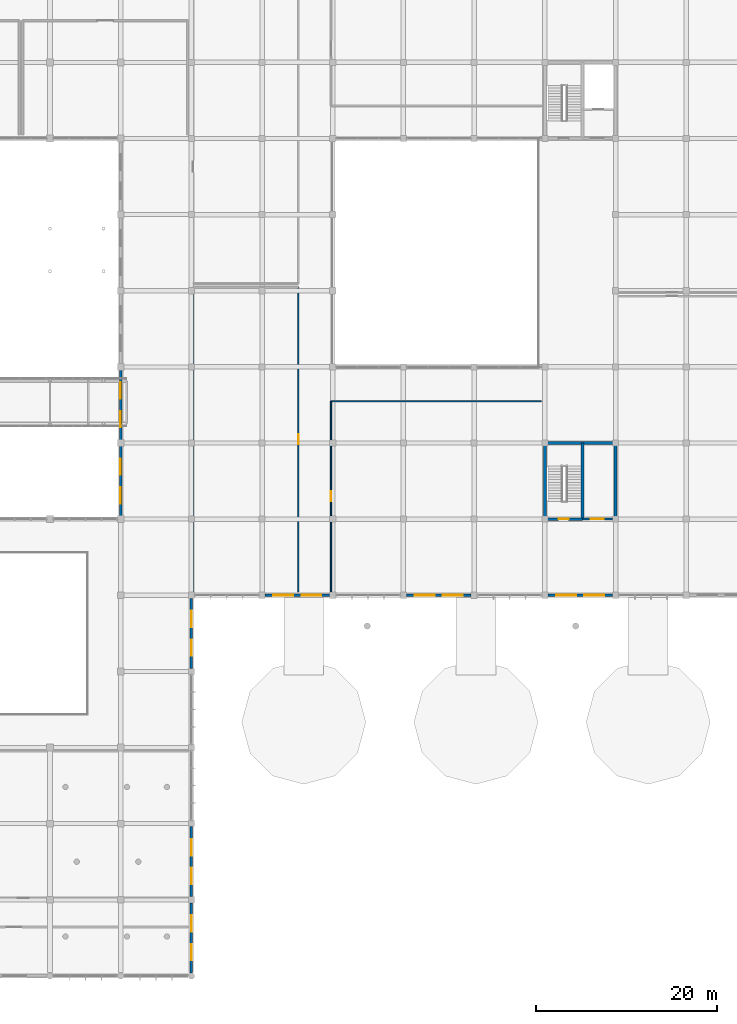
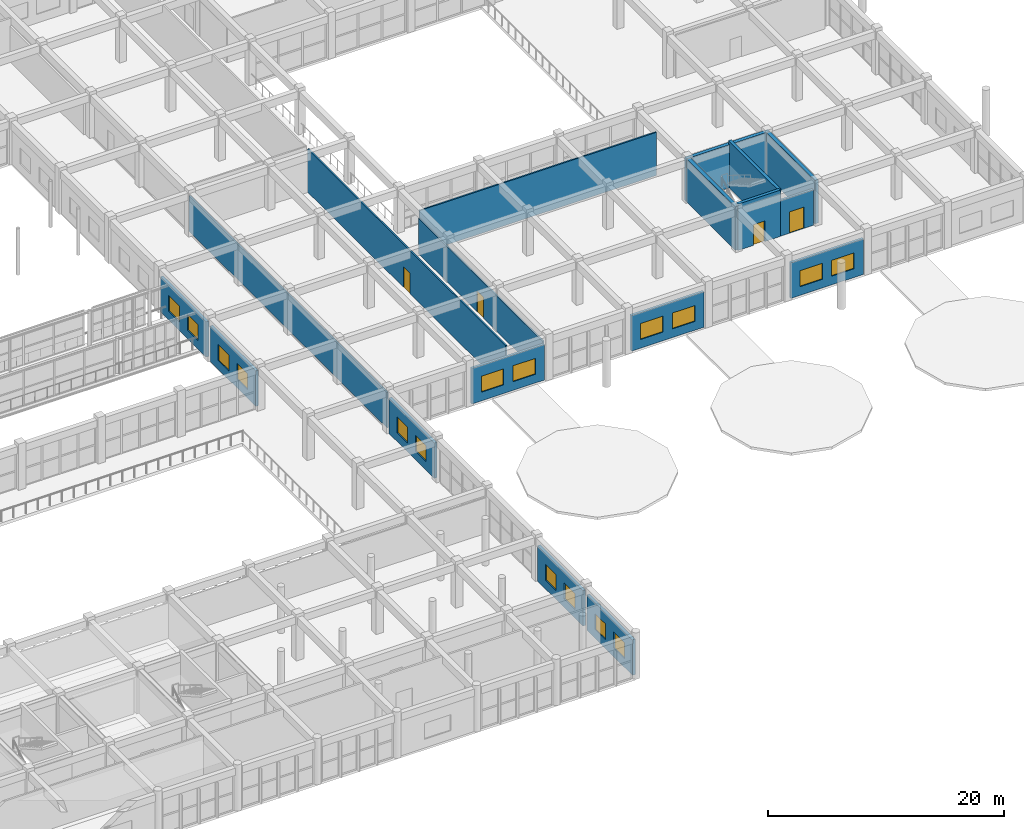
# One storey, part 164 of 175: 18 walls, 16 windows, 4 doors, 20 openings.
"""IFC4 building model written with IfcOpenShell, lengths in metres."""

import ifcopenshell
import ifcopenshell.guid

model = None  # the IFC model being written
_history = None  # IfcOwnerHistory: only IFC2X3 demands one
_inside = {}  # id of a spatial element -> (the spatial element, [elements in it])
_under = {}  # id of a project, library or spatial element -> (it, [spatial elements below it])
_declared = {}  # id of a project -> (the project, [libraries it declares])
_typed = {}  # id of a type object -> (the type object, [elements of that type])
_made_of = {}  # id of a material, layer set ... -> (it, [elements and type objects made of it])


def new_model(schema):
    """Start an empty IFC model of exactly this schema.

    Asked for "IFC4X3", IfcOpenShell would pick the latest addendum, in which some entities
    have other attributes; the version numbers below select the first issue.
    IFC2X3 requires an IfcOwnerHistory on every rooted entity: one is made here for all.
    """
    global model, _history
    if schema == "IFC4X3":
        model = ifcopenshell.file(schema_version=(4, 3, 0, 0))
    else:
        model = ifcopenshell.file(schema=schema)
    _inside.clear()
    _under.clear()
    _declared.clear()
    _typed.clear()
    _made_of.clear()
    _history = None
    if model.schema == "IFC2X3":
        org = make("IfcOrganization", Name="unknown")
        user = make(
            "IfcPersonAndOrganization",
            ThePerson=make("IfcPerson", FamilyName="unknown"),
            TheOrganization=org,
        )
        app = make(
            "IfcApplication",
            ApplicationDeveloper=org,
            Version="unknown",
            ApplicationFullName="unknown",
            ApplicationIdentifier="unknown",
        )
        _history = make(
            "IfcOwnerHistory",
            OwningUser=user,
            OwningApplication=app,
            ChangeAction="ADDED",
            CreationDate=0,
        )
    return model


def make(cls, **values):
    """One entity of the class cls with the attributes given. An attribute that is None is left unset."""
    return model.create_entity(
        cls, **{name: value for name, value in values.items() if value is not None}
    )


def rooted(cls, **values):
    """An entity with a GlobalId (a new one), such as an element, a storey or a relation."""
    return make(cls, GlobalId=ifcopenshell.guid.new(), OwnerHistory=_history, **values)


def si_unit(unit_type, name, prefix=None):
    """IfcSIUnit, for example si_unit("LENGTHUNIT", "METRE", prefix="MILLI")."""
    return make("IfcSIUnit", UnitType=unit_type, Prefix=prefix, Name=name)


def assignment(units):
    """IfcUnitAssignment: the units of a project."""
    return None if units is None else make("IfcUnitAssignment", Units=units)


def point(xyz):
    """IfcCartesianPoint."""
    return None if xyz is None else make("IfcCartesianPoint", Coordinates=xyz)


def direction(xyz):
    """IfcDirection."""
    return None if xyz is None else make("IfcDirection", DirectionRatios=xyz)


def frame(location, z_axis=None, x_axis=None):
    """IfcAxis2Placement3D, a coordinate frame: its origin and axes. An axis left out is left unset."""
    return make(
        "IfcAxis2Placement3D",
        Location=point(location),
        Axis=direction(z_axis),
        RefDirection=direction(x_axis),
    )


def frame_2d(location, x_axis=None):
    """IfcAxis2Placement2D, a coordinate frame in the plane: its origin and x axis."""
    return make(
        "IfcAxis2Placement2D", Location=point(location), RefDirection=direction(x_axis)
    )


def origin():
    """The frame at (0, 0, 0) with its axes left unset."""
    return frame((0.0, 0.0, 0.0))


def place(relative_to, where):
    """IfcLocalPlacement: puts the frame where relative to a parent placement (None: the world)."""
    return make(
        "IfcLocalPlacement", PlacementRelTo=relative_to, RelativePlacement=where
    )


def context(
    kind, dimensions, precision=None, world=None, true_north=None, identifier=None
):
    """IfcGeometricRepresentationContext, for example the 3D "Model" context."""
    return make(
        "IfcGeometricRepresentationContext",
        ContextIdentifier=identifier,
        ContextType=kind,
        CoordinateSpaceDimension=dimensions,
        Precision=precision,
        WorldCoordinateSystem=world,
        TrueNorth=true_north,
    )


def subcontext(parent, identifier, kind, view, scale=None):
    """IfcGeometricRepresentationSubContext, for example "Body" below "Model"."""
    return make(
        "IfcGeometricRepresentationSubContext",
        ContextIdentifier=identifier,
        ContextType=kind,
        ParentContext=parent,
        TargetScale=scale,
        TargetView=view,
    )


def project(units=None, contexts=None):
    """IfcProject with its units and contexts."""
    return rooted(
        "IfcProject",
        Name="project",
        RepresentationContexts=contexts,
        UnitsInContext=assignment(units),
    )


def spatial(cls, under=None, at=None, **own):
    """A site, building, storey or space (cls), placed at a placement, below another one or the project."""
    s = rooted(cls, ObjectPlacement=at, **own)
    if under is not None:
        _under.setdefault(under.id(), (under, []))[1].append(s)
    return s


def profile(cls, at=None, kind="AREA", **sizes):
    """A parametric profile (cls). Its sizes go by their IFC names, for example OverallWidth=200.0."""
    return make(cls, ProfileType=kind, Position=at, **sizes)


def rectangle(**sizes):
    """IfcRectangleProfileDef."""
    return profile("IfcRectangleProfileDef", **sizes)


def extrude(swept, where, along, depth):
    """IfcExtrudedAreaSolid: the profile swept, set in the frame where, extruded along a direction by depth."""
    return make(
        "IfcExtrudedAreaSolid",
        SweptArea=swept,
        Position=where,
        ExtrudedDirection=direction(along),
        Depth=depth,
    )


def shape(context_of_items, identifier, shape_type, items):
    """IfcShapeRepresentation: the items that make up one representation, for example the "Body"."""
    return make(
        "IfcShapeRepresentation",
        ContextOfItems=context_of_items,
        RepresentationIdentifier=identifier,
        RepresentationType=shape_type,
        Items=items,
    )


def material(Name=None, Category=None):
    """IfcMaterial."""
    return make("IfcMaterial", Name=Name, Category=Category)


def layer(
    of_material, thickness, ventilated=None, Name=None, Category=None, Priority=None
):
    """IfcMaterialLayer: one layer of a wall or slab, of a material (None: an air gap)."""
    return make(
        "IfcMaterialLayer",
        Material=of_material,
        LayerThickness=thickness,
        IsVentilated=ventilated,
        Name=Name,
        Category=Category,
        Priority=Priority,
    )


def layer_set(layers, Name=None):
    """IfcMaterialLayerSet."""
    return make("IfcMaterialLayerSet", MaterialLayers=layers, LayerSetName=Name)


def made_of(thing, what):
    """Note that an element or type object is made of a material, layer set ...; save() writes the relation."""
    if what is not None:
        _made_of.setdefault(what.id(), (what, []))[1].append(thing)
    return thing


def type_object(cls, material=None, **own):
    """A type object (cls), such as IfcWallType, which elements share."""
    return made_of(rooted(cls, **own), material)


def element(
    cls,
    number,
    at=None,
    inside=None,
    cuts=None,
    type_object=None,
    material=None,
    context=None,
    identifier="Body",
    shape_type=None,
    held_by="IfcProductDefinitionShape",
    body=None,
    shapes=None,
    **own,
):
    """One element of the class cls, such as IfcWall. Its Tag is "e" and its number.

    at: its placement. inside: the storey or other place that contains it. cuts: it is an
    opening in that element (IfcRelVoidsElement). A single representation is given by context,
    identifier, shape_type and body (its items); several are given by shapes. held_by: the class
    of the entity that holds the representations. save() writes the other relations.
    """
    e = rooted(cls, Tag="e%d" % number, ObjectPlacement=at, **own)
    if body is not None:
        shapes = [shape(context, identifier, shape_type, body)]
    if shapes is not None:
        e.Representation = make(held_by, Representations=shapes)
    if inside is not None:
        _inside.setdefault(inside.id(), (inside, []))[1].append(e)
    if cuts is not None:
        rooted(
            "IfcRelVoidsElement", RelatingBuildingElement=cuts, RelatedOpeningElement=e
        )
    if type_object is not None:
        _typed.setdefault(type_object.id(), (type_object, []))[1].append(e)
    return made_of(e, material)


def fill(opening, filler):
    """IfcRelFillsElement: the door or window that sits in an opening."""
    return rooted(
        "IfcRelFillsElement",
        RelatingOpeningElement=opening,
        RelatedBuildingElement=filler,
    )


def aggregate(whole, parts):
    """IfcRelAggregates: a whole, such as a stair, and the parts it consists of."""
    return rooted("IfcRelAggregates", RelatingObject=whole, RelatedObjects=parts)


def save(model, path):
    """Write the relations noted so far, then the file.

    IfcRelAggregates (storeys below a building ...), IfcRelContainedInSpatialStructure (elements
    in a storey), IfcRelDefinesByType, IfcRelAssociatesMaterial and IfcRelDeclares: one each for
    every whole, place, type object, material and project.
    """
    for whole, parts in _under.values():
        aggregate(whole, parts)
    for where, things in _inside.values():
        rooted(
            "IfcRelContainedInSpatialStructure",
            RelatedElements=things,
            RelatingStructure=where,
        )
    for kind, things in _typed.values():
        rooted("IfcRelDefinesByType", RelatedObjects=things, RelatingType=kind)
    for what, things in _made_of.values():
        rooted("IfcRelAssociatesMaterial", RelatedObjects=things, RelatingMaterial=what)
    for by, libraries in _declared.values():
        rooted("IfcRelDeclares", RelatingContext=by, RelatedDefinitions=libraries)
    model.write(path)


model = new_model("IFC4")

# Units and contexts
model_context = context("Model", 3, precision=1e-05, world=origin(), true_north=direction((0.0, 1.0)))
body_context = subcontext(model_context, "Body", "Model", "MODEL_VIEW")
ifc_project = project(units=[si_unit("LENGTHUNIT", "METRE"), si_unit("AREAUNIT", "SQUARE_METRE"), si_unit("VOLUMEUNIT", "CUBIC_METRE"), si_unit("PLANEANGLEUNIT", "RADIAN"), si_unit("MASSUNIT", "GRAM", prefix="KILO")], contexts=[model_context])

# Site, building, storey
site_placement = place(None, origin())
site = spatial("IfcSite", under=ifc_project, at=site_placement, CompositionType="ELEMENT")
building_placement = place(site_placement, origin())
building = spatial("IfcBuilding", under=site, at=building_placement, Name="Zizhar Promenade General Hospital", CompositionType="ELEMENT")
storey_placement = place(building_placement, frame((0.0, 0.0, 4.800048828125)))
storey = spatial("IfcBuildingStorey", under=building, at=storey_placement, Name="L01", CompositionType="ELEMENT", Elevation=4.800048828125)

# Wall, openings, windows
ifc_material_1 = material(Name="Precast concrete C40/50", Category="concrete")
ifc_layer_1 = layer(ifc_material_1, 0.235107421875)
ifc_layer_set_1 = layer_set([ifc_layer_1], Name="Precast concrete C40/50")
wall_type_1 = type_object("IfcWallType", Name="EW-CLN-235", PredefinedType="STANDARD", material=ifc_layer_set_1)
wall_1_placement = place(storey_placement, frame((147.860107421875, 42.0, 0.0), z_axis=(0.0, 0.0, 1.0), x_axis=(-1.0, 0.0, 0.0)))
wall_1 = element("IfcWall", 1, at=wall_1_placement, inside=storey, type_object=wall_type_1, Name="Outpatient Forecourt South Wall L01-18", PredefinedType="STANDARD", context=body_context, shape_type="SweptSolid", body=[
    extrude(rectangle(XDim=7.1201171875, YDim=0.235107421875, at=frame_2d((3.56005859375, 0.0))), origin(), (0.0, 0.0, 1.0), 3.679931640625),
])
opening_1_placement = place(wall_1_placement, frame((0.90673828125, 0.0, 0.89990234375)))
opening_1 = element("IfcOpeningElement", 2, at=opening_1_placement, cuts=wall_1, Name="Opening W-07", PredefinedType="OPENING", context=body_context, shape_type="SweptSolid", body=[
    extrude(rectangle(XDim=2.199951171875, YDim=1.64990234375, at=frame_2d((1.10009765625, 0.824951171875))), frame((0.0, 0.12744140625, 0.0), z_axis=(0.0, -1.0, 0.0), x_axis=(1.0, 0.0, 0.0)), (0.0, 0.0, 1.0), 0.255126953125),
])
opening_2_placement = place(wall_1_placement, frame((4.01318359375, 0.0, 0.89990234375)))
opening_2 = element("IfcOpeningElement", 3, at=opening_2_placement, cuts=wall_1, Name="Opening W-07", PredefinedType="OPENING", context=body_context, shape_type="SweptSolid", body=[
    extrude(rectangle(XDim=2.199951171875, YDim=1.64990234375, at=frame_2d((1.10009765625, 0.824951171875))), frame((0.0, 0.12744140625, 0.0), z_axis=(0.0, -1.0, 0.0), x_axis=(1.0, 0.0, 0.0)), (0.0, 0.0, 1.0), 0.255126953125),
])
ifc_material_2 = material(Name="Anodised aluminium 6063-T6 and low-E glass", Category="aluminium")
window_type_1 = type_object("IfcWindowType", Name="WIN-CLN-220x165", PartitioningType="DOUBLE_PANEL_VERTICAL", PredefinedType="WINDOW", material=ifc_material_2)
window_1_placement = place(opening_1_placement, origin())
window_1 = element("IfcWindow", 4, at=window_1_placement, inside=storey, type_object=window_type_1, Name="Outpatient Forecourt South Wall L01-18 Window 1", OverallHeight=1.64990234375, OverallWidth=2.199951171875, PartitioningType="SINGLE_PANEL", PredefinedType="WINDOW", context=body_context, shape_type="SweptSolid", body=[
    extrude(rectangle(XDim=2.199951171875, YDim=1.64990234375, at=frame_2d((1.10009765625, 0.824951171875))), frame((0.0, 0.030029296875, 0.0), z_axis=(0.0, -1.0, 0.0), x_axis=(1.0, 0.0, 0.0)), (0.0, 0.0, 1.0), 0.06005859375),
])
fill(opening_1, window_1)
window_2_placement = place(opening_2_placement, origin())
window_2 = element("IfcWindow", 5, at=window_2_placement, inside=storey, type_object=window_type_1, Name="Outpatient Forecourt South Wall L01-18 Window 2", OverallHeight=1.64990234375, OverallWidth=2.199951171875, PartitioningType="SINGLE_PANEL", PredefinedType="WINDOW", context=body_context, shape_type="SweptSolid", body=[
    extrude(rectangle(XDim=2.199951171875, YDim=1.64990234375, at=frame_2d((1.10009765625, 0.824951171875))), frame((0.0, 0.030029296875, 0.0), z_axis=(0.0, -1.0, 0.0), x_axis=(1.0, 0.0, 0.0)), (0.0, 0.0, 1.0), 0.06005859375),
])
fill(opening_2, window_2)

wall_2_placement = place(storey_placement, frame((163.4599609375, 42.0, 0.0), z_axis=(0.0, 0.0, 1.0), x_axis=(-1.0, 0.0, 0.0)))
wall_2 = element("IfcWall", 6, at=wall_2_placement, inside=storey, type_object=wall_type_1, Name="Outpatient Forecourt South Wall L01-20", PredefinedType="STANDARD", context=body_context, shape_type="SweptSolid", body=[
    extrude(rectangle(XDim=7.119873046875, YDim=0.235107421875, at=frame_2d((3.56005859375, 0.0))), origin(), (0.0, 0.0, 1.0), 3.679931640625),
])
opening_3_placement = place(wall_2_placement, frame((0.90673828125, 0.0, 0.89990234375)))
opening_3 = element("IfcOpeningElement", 7, at=opening_3_placement, cuts=wall_2, Name="Opening W-07", PredefinedType="OPENING", context=body_context, shape_type="SweptSolid", body=[
    extrude(rectangle(XDim=2.199951171875, YDim=1.64990234375, at=frame_2d((1.10009765625, 0.824951171875))), frame((0.0, 0.12744140625, 0.0), z_axis=(0.0, -1.0, 0.0), x_axis=(1.0, 0.0, 0.0)), (0.0, 0.0, 1.0), 0.255126953125),
])
opening_4_placement = place(wall_2_placement, frame((4.01318359375, 0.0, 0.89990234375)))
opening_4 = element("IfcOpeningElement", 8, at=opening_4_placement, cuts=wall_2, Name="Opening W-07", PredefinedType="OPENING", context=body_context, shape_type="SweptSolid", body=[
    extrude(rectangle(XDim=2.199951171875, YDim=1.64990234375, at=frame_2d((1.10009765625, 0.824951171875))), frame((0.0, 0.12744140625, 0.0), z_axis=(0.0, -1.0, 0.0), x_axis=(1.0, 0.0, 0.0)), (0.0, 0.0, 1.0), 0.255126953125),
])
window_3_placement = place(opening_3_placement, origin())
window_3 = element("IfcWindow", 9, at=window_3_placement, inside=storey, type_object=window_type_1, Name="Outpatient Forecourt South Wall L01-20 Window 1", OverallHeight=1.64990234375, OverallWidth=2.199951171875, PartitioningType="SINGLE_PANEL", PredefinedType="WINDOW", context=body_context, shape_type="SweptSolid", body=[
    extrude(rectangle(XDim=2.199951171875, YDim=1.64990234375, at=frame_2d((1.10009765625, 0.824951171875))), frame((0.0, 0.030029296875, 0.0), z_axis=(0.0, -1.0, 0.0), x_axis=(1.0, 0.0, 0.0)), (0.0, 0.0, 1.0), 0.06005859375),
])
fill(opening_3, window_3)
window_4_placement = place(opening_4_placement, origin())
window_4 = element("IfcWindow", 10, at=window_4_placement, inside=storey, type_object=window_type_1, Name="Outpatient Forecourt South Wall L01-20 Window 2", OverallHeight=1.64990234375, OverallWidth=2.199951171875, PartitioningType="SINGLE_PANEL", PredefinedType="WINDOW", context=body_context, shape_type="SweptSolid", body=[
    extrude(rectangle(XDim=2.199951171875, YDim=1.64990234375, at=frame_2d((1.10009765625, 0.824951171875))), frame((0.0, 0.030029296875, 0.0), z_axis=(0.0, -1.0, 0.0), x_axis=(1.0, 0.0, 0.0)), (0.0, 0.0, 1.0), 0.06005859375),
])
fill(opening_4, window_4)

wall_3_placement = place(storey_placement, frame((179.06005859375, 42.0, 0.0), z_axis=(0.0, 0.0, 1.0), x_axis=(-1.0, 0.0, 0.0)))
wall_3 = element("IfcWall", 11, at=wall_3_placement, inside=storey, type_object=wall_type_1, Name="Outpatient Forecourt South Wall L01-22", PredefinedType="STANDARD", context=body_context, shape_type="SweptSolid", body=[
    extrude(rectangle(XDim=7.1201171875, YDim=0.235107421875, at=frame_2d((3.56005859375, 0.0))), origin(), (0.0, 0.0, 1.0), 3.679931640625),
])
opening_5_placement = place(wall_3_placement, frame((0.90673828125, 0.0, 0.89990234375)))
opening_5 = element("IfcOpeningElement", 12, at=opening_5_placement, cuts=wall_3, Name="Opening W-07", PredefinedType="OPENING", context=body_context, shape_type="SweptSolid", body=[
    extrude(rectangle(XDim=2.199951171875, YDim=1.64990234375, at=frame_2d((1.10009765625, 0.824951171875))), frame((0.0, 0.12744140625, 0.0), z_axis=(0.0, -1.0, 0.0), x_axis=(1.0, 0.0, 0.0)), (0.0, 0.0, 1.0), 0.255126953125),
])
opening_6_placement = place(wall_3_placement, frame((4.01318359375, 0.0, 0.89990234375)))
opening_6 = element("IfcOpeningElement", 13, at=opening_6_placement, cuts=wall_3, Name="Opening W-07", PredefinedType="OPENING", context=body_context, shape_type="SweptSolid", body=[
    extrude(rectangle(XDim=2.199951171875, YDim=1.64990234375, at=frame_2d((1.10009765625, 0.824951171875))), frame((0.0, 0.12744140625, 0.0), z_axis=(0.0, -1.0, 0.0), x_axis=(1.0, 0.0, 0.0)), (0.0, 0.0, 1.0), 0.255126953125),
])
window_5_placement = place(opening_5_placement, origin())
window_5 = element("IfcWindow", 14, at=window_5_placement, inside=storey, type_object=window_type_1, Name="Outpatient Forecourt South Wall L01-22 Window 1", OverallHeight=1.64990234375, OverallWidth=2.199951171875, PartitioningType="SINGLE_PANEL", PredefinedType="WINDOW", context=body_context, shape_type="SweptSolid", body=[
    extrude(rectangle(XDim=2.199951171875, YDim=1.64990234375, at=frame_2d((1.10009765625, 0.824951171875))), frame((0.0, 0.030029296875, 0.0), z_axis=(0.0, -1.0, 0.0), x_axis=(1.0, 0.0, 0.0)), (0.0, 0.0, 1.0), 0.06005859375),
])
fill(opening_5, window_5)
window_6_placement = place(opening_6_placement, origin())
window_6 = element("IfcWindow", 15, at=window_6_placement, inside=storey, type_object=window_type_1, Name="Outpatient Forecourt South Wall L01-22 Window 2", OverallHeight=1.64990234375, OverallWidth=2.199951171875, PartitioningType="SINGLE_PANEL", PredefinedType="WINDOW", context=body_context, shape_type="SweptSolid", body=[
    extrude(rectangle(XDim=2.199951171875, YDim=1.64990234375, at=frame_2d((1.10009765625, 0.824951171875))), frame((0.0, 0.030029296875, 0.0), z_axis=(0.0, -1.0, 0.0), x_axis=(1.0, 0.0, 0.0)), (0.0, 0.0, 1.0), 0.06005859375),
])
fill(opening_6, window_6)

ifc_material_3 = material(Name="Precast concrete C40/50", Category="concrete")
ifc_layer_2 = layer(ifc_material_3, 0.260009765625)
ifc_layer_set_2 = layer_set([ifc_layer_2], Name="Precast concrete C40/50")
wall_type_2 = type_object("IfcWallType", Name="EW-PC-260", PredefinedType="STANDARD", material=ifc_layer_set_2)
wall_4_placement = place(storey_placement, frame((124.800048828125, 58.4599609375, 0.0), z_axis=(0.0, 0.0, 1.0), x_axis=(0.0, -1.0, 0.0)))
wall_4 = element("IfcWall", 16, at=wall_4_placement, inside=storey, type_object=wall_type_2, Name="Garden Court East Wall L01-6", PredefinedType="STANDARD", context=body_context, shape_type="SweptSolid", body=[
    extrude(rectangle(XDim=7.719970703125, YDim=0.260009765625, at=frame_2d((3.85986328125, 0.0))), origin(), (0.0, 0.0, 1.0), 3.6650390625),
])
opening_7_placement = place(wall_4_placement, frame((1.373291015625, 0.0, 0.89990234375)))
opening_7 = element("IfcOpeningElement", 17, at=opening_7_placement, cuts=wall_4, Name="Opening W-08", PredefinedType="OPENING", context=body_context, shape_type="SweptSolid", body=[
    extrude(rectangle(XDim=1.800048828125, YDim=1.64990234375, at=frame_2d((0.89990234375, 0.824951171875))), frame((0.0, 0.14013671875, 0.0), z_axis=(0.0, -1.0, 0.0), x_axis=(1.0, 0.0, 0.0)), (0.0, 0.0, 1.0), 0.280029296875),
])
opening_8_placement = place(wall_4_placement, frame((4.546630859375, 0.0, 0.89990234375)))
opening_8 = element("IfcOpeningElement", 18, at=opening_8_placement, cuts=wall_4, Name="Opening W-08", PredefinedType="OPENING", context=body_context, shape_type="SweptSolid", body=[
    extrude(rectangle(XDim=1.800048828125, YDim=1.64990234375, at=frame_2d((0.89990234375, 0.824951171875))), frame((0.0, 0.14013671875, 0.0), z_axis=(0.0, -1.0, 0.0), x_axis=(1.0, 0.0, 0.0)), (0.0, 0.0, 1.0), 0.280029296875),
])
ifc_material_4 = material(Name="Anodised aluminium 6063-T6 and low-E glass", Category="aluminium")
window_type_2 = type_object("IfcWindowType", Name="WIN-CLN-180x165", PartitioningType="DOUBLE_PANEL_VERTICAL", PredefinedType="WINDOW", material=ifc_material_4)
window_7_placement = place(opening_7_placement, origin())
window_7 = element("IfcWindow", 19, at=window_7_placement, inside=storey, type_object=window_type_2, Name="Garden Court East Wall L01-6 Window 1", OverallHeight=1.64990234375, OverallWidth=1.800048828125, PartitioningType="SINGLE_PANEL", PredefinedType="WINDOW", context=body_context, shape_type="SweptSolid", body=[
    extrude(rectangle(XDim=1.800048828125, YDim=1.64990234375, at=frame_2d((0.89990234375, 0.824951171875))), frame((0.0, 0.030029296875, 0.0), z_axis=(0.0, -1.0, 0.0), x_axis=(1.0, 0.0, 0.0)), (0.0, 0.0, 1.0), 0.06005859375),
])
fill(opening_7, window_7)
window_8_placement = place(opening_8_placement, origin())
window_8 = element("IfcWindow", 20, at=window_8_placement, inside=storey, type_object=window_type_2, Name="Garden Court East Wall L01-6 Window 2", OverallHeight=1.64990234375, OverallWidth=1.800048828125, PartitioningType="SINGLE_PANEL", PredefinedType="WINDOW", context=body_context, shape_type="SweptSolid", body=[
    extrude(rectangle(XDim=1.800048828125, YDim=1.64990234375, at=frame_2d((0.89990234375, 0.824951171875))), frame((0.0, 0.030029296875, 0.0), z_axis=(0.0, -1.0, 0.0), x_axis=(1.0, 0.0, 0.0)), (0.0, 0.0, 1.0), 0.06005859375),
])
fill(opening_8, window_8)

wall_5_placement = place(storey_placement, frame((124.800048828125, 66.860107421875, 0.0), z_axis=(0.0, 0.0, 1.0), x_axis=(0.0, -1.0, 0.0)))
wall_5 = element("IfcWall", 21, at=wall_5_placement, inside=storey, type_object=wall_type_2, Name="Garden Court East Wall L01-7", PredefinedType="STANDARD", context=body_context, shape_type="SweptSolid", body=[
    extrude(rectangle(XDim=7.72021484375, YDim=0.260009765625, at=frame_2d((3.860107421875, 0.0))), origin(), (0.0, 0.0, 1.0), 3.6650390625),
])
opening_9_placement = place(wall_5_placement, frame((1.373291015625, 0.0, 0.89990234375)))
opening_9 = element("IfcOpeningElement", 22, at=opening_9_placement, cuts=wall_5, Name="Opening W-08", PredefinedType="OPENING", context=body_context, shape_type="SweptSolid", body=[
    extrude(rectangle(XDim=1.800048828125, YDim=1.64990234375, at=frame_2d((0.89990234375, 0.824951171875))), frame((0.0, 0.14013671875, 0.0), z_axis=(0.0, -1.0, 0.0), x_axis=(1.0, 0.0, 0.0)), (0.0, 0.0, 1.0), 0.280029296875),
])
opening_10_placement = place(wall_5_placement, frame((4.546630859375, 0.0, 0.89990234375)))
opening_10 = element("IfcOpeningElement", 23, at=opening_10_placement, cuts=wall_5, Name="Opening W-08", PredefinedType="OPENING", context=body_context, shape_type="SweptSolid", body=[
    extrude(rectangle(XDim=1.800048828125, YDim=1.64990234375, at=frame_2d((0.89990234375, 0.824951171875))), frame((0.0, 0.14013671875, 0.0), z_axis=(0.0, -1.0, 0.0), x_axis=(1.0, 0.0, 0.0)), (0.0, 0.0, 1.0), 0.280029296875),
])
window_9_placement = place(opening_9_placement, origin())
window_9 = element("IfcWindow", 24, at=window_9_placement, inside=storey, type_object=window_type_2, Name="Garden Court East Wall L01-7 Window 1", OverallHeight=1.64990234375, OverallWidth=1.800048828125, PartitioningType="SINGLE_PANEL", PredefinedType="WINDOW", context=body_context, shape_type="SweptSolid", body=[
    extrude(rectangle(XDim=1.800048828125, YDim=1.64990234375, at=frame_2d((0.89990234375, 0.824951171875))), frame((0.0, 0.030029296875, 0.0), z_axis=(0.0, -1.0, 0.0), x_axis=(1.0, 0.0, 0.0)), (0.0, 0.0, 1.0), 0.06005859375),
])
fill(opening_9, window_9)
window_10_placement = place(opening_10_placement, origin())
window_10 = element("IfcWindow", 25, at=window_10_placement, inside=storey, type_object=window_type_2, Name="Garden Court East Wall L01-7 Window 2", OverallHeight=1.64990234375, OverallWidth=1.800048828125, PartitioningType="SINGLE_PANEL", PredefinedType="WINDOW", context=body_context, shape_type="SweptSolid", body=[
    extrude(rectangle(XDim=1.800048828125, YDim=1.64990234375, at=frame_2d((0.89990234375, 0.824951171875))), frame((0.0, 0.030029296875, 0.0), z_axis=(0.0, -1.0, 0.0), x_axis=(1.0, 0.0, 0.0)), (0.0, 0.0, 1.0), 0.06005859375),
])
fill(opening_10, window_10)

ifc_material_5 = material(Name="Precast concrete C40/50", Category="concrete")
ifc_layer_3 = layer(ifc_material_5, 0.27490234375)
ifc_layer_set_3 = layer_set([ifc_layer_3], Name="Precast concrete C40/50")
wall_type_3 = type_object("IfcWallType", Name="EW-PC-275", PredefinedType="STANDARD", material=ifc_layer_set_3)
wall_6_placement = place(storey_placement, frame((132.60009765625, 8.06005859375, 0.0), z_axis=(0.0, 0.0, 1.0), x_axis=(0.0, -1.0, 0.0)))
wall_6 = element("IfcWall", 26, at=wall_6_placement, inside=storey, type_object=wall_type_3, Name="Forecourt West Wall L01-0", PredefinedType="STANDARD", context=body_context, shape_type="SweptSolid", body=[
    extrude(rectangle(XDim=7.719970703125, YDim=0.27490234375, at=frame_2d((3.85986328125, 0.0))), origin(), (0.0, 0.0, 1.0), 3.6650390625),
])
opening_11_placement = place(wall_6_placement, frame((1.373291015625, 0.0, 0.89990234375)))
opening_11 = element("IfcOpeningElement", 27, at=opening_11_placement, cuts=wall_6, Name="Opening W-08", PredefinedType="OPENING", context=body_context, shape_type="SweptSolid", body=[
    extrude(rectangle(XDim=1.800048828125, YDim=1.64990234375, at=frame_2d((0.89990234375, 0.824951171875))), frame((0.0, 0.1474609375, 0.0), z_axis=(0.0, -1.0, 0.0), x_axis=(1.0, 0.0, 0.0)), (0.0, 0.0, 1.0), 0.294921875),
])
opening_12_placement = place(wall_6_placement, frame((4.546630859375, 0.0, 0.89990234375)))
opening_12 = element("IfcOpeningElement", 28, at=opening_12_placement, cuts=wall_6, Name="Opening W-08", PredefinedType="OPENING", context=body_context, shape_type="SweptSolid", body=[
    extrude(rectangle(XDim=1.800048828125, YDim=1.64990234375, at=frame_2d((0.89990234375, 0.824951171875))), frame((0.0, 0.1474609375, 0.0), z_axis=(0.0, -1.0, 0.0), x_axis=(1.0, 0.0, 0.0)), (0.0, 0.0, 1.0), 0.294921875),
])
window_11_placement = place(opening_11_placement, origin())
window_11 = element("IfcWindow", 29, at=window_11_placement, inside=storey, type_object=window_type_2, Name="Forecourt West Wall L01-0 Window 1", OverallHeight=1.64990234375, OverallWidth=1.800048828125, PartitioningType="SINGLE_PANEL", PredefinedType="WINDOW", context=body_context, shape_type="SweptSolid", body=[
    extrude(rectangle(XDim=1.800048828125, YDim=1.64990234375, at=frame_2d((0.89990234375, 0.824951171875))), frame((0.0, 0.030029296875, 0.0), z_axis=(0.0, -1.0, 0.0), x_axis=(1.0, 0.0, 0.0)), (0.0, 0.0, 1.0), 0.06005859375),
])
fill(opening_11, window_11)
window_12_placement = place(opening_12_placement, origin())
window_12 = element("IfcWindow", 30, at=window_12_placement, inside=storey, type_object=window_type_2, Name="Forecourt West Wall L01-0 Window 2", OverallHeight=1.64990234375, OverallWidth=1.800048828125, PartitioningType="SINGLE_PANEL", PredefinedType="WINDOW", context=body_context, shape_type="SweptSolid", body=[
    extrude(rectangle(XDim=1.800048828125, YDim=1.64990234375, at=frame_2d((0.89990234375, 0.824951171875))), frame((0.0, 0.030029296875, 0.0), z_axis=(0.0, -1.0, 0.0), x_axis=(1.0, 0.0, 0.0)), (0.0, 0.0, 1.0), 0.06005859375),
])
fill(opening_12, window_12)

wall_7_placement = place(storey_placement, frame((132.60009765625, 16.4599609375, 0.0), z_axis=(0.0, 0.0, 1.0), x_axis=(0.0, -1.0, 0.0)))
wall_7 = element("IfcWall", 31, at=wall_7_placement, inside=storey, type_object=wall_type_3, Name="Forecourt West Wall L01-1", PredefinedType="STANDARD", context=body_context, shape_type="SweptSolid", body=[
    extrude(rectangle(XDim=7.719970703125, YDim=0.27490234375, at=frame_2d((3.85986328125, 0.0))), origin(), (0.0, 0.0, 1.0), 3.6650390625),
])
opening_13_placement = place(wall_7_placement, frame((1.373291015625, 0.0, 0.89990234375)))
opening_13 = element("IfcOpeningElement", 32, at=opening_13_placement, cuts=wall_7, Name="Opening W-08", PredefinedType="OPENING", context=body_context, shape_type="SweptSolid", body=[
    extrude(rectangle(XDim=1.800048828125, YDim=1.64990234375, at=frame_2d((0.89990234375, 0.824951171875))), frame((0.0, 0.1474609375, 0.0), z_axis=(0.0, -1.0, 0.0), x_axis=(1.0, 0.0, 0.0)), (0.0, 0.0, 1.0), 0.294921875),
])
opening_14_placement = place(wall_7_placement, frame((4.546630859375, 0.0, 0.89990234375)))
opening_14 = element("IfcOpeningElement", 33, at=opening_14_placement, cuts=wall_7, Name="Opening W-08", PredefinedType="OPENING", context=body_context, shape_type="SweptSolid", body=[
    extrude(rectangle(XDim=1.800048828125, YDim=1.64990234375, at=frame_2d((0.89990234375, 0.824951171875))), frame((0.0, 0.1474609375, 0.0), z_axis=(0.0, -1.0, 0.0), x_axis=(1.0, 0.0, 0.0)), (0.0, 0.0, 1.0), 0.294921875),
])
window_13_placement = place(opening_13_placement, origin())
window_13 = element("IfcWindow", 34, at=window_13_placement, inside=storey, type_object=window_type_2, Name="Forecourt West Wall L01-1 Window 1", OverallHeight=1.64990234375, OverallWidth=1.800048828125, PartitioningType="SINGLE_PANEL", PredefinedType="WINDOW", context=body_context, shape_type="SweptSolid", body=[
    extrude(rectangle(XDim=1.800048828125, YDim=1.64990234375, at=frame_2d((0.89990234375, 0.824951171875))), frame((0.0, 0.030029296875, 0.0), z_axis=(0.0, -1.0, 0.0), x_axis=(1.0, 0.0, 0.0)), (0.0, 0.0, 1.0), 0.06005859375),
])
fill(opening_13, window_13)
window_14_placement = place(opening_14_placement, origin())
window_14 = element("IfcWindow", 35, at=window_14_placement, inside=storey, type_object=window_type_2, Name="Forecourt West Wall L01-1 Window 2", OverallHeight=1.64990234375, OverallWidth=1.800048828125, PartitioningType="SINGLE_PANEL", PredefinedType="WINDOW", context=body_context, shape_type="SweptSolid", body=[
    extrude(rectangle(XDim=1.800048828125, YDim=1.64990234375, at=frame_2d((0.89990234375, 0.824951171875))), frame((0.0, 0.030029296875, 0.0), z_axis=(0.0, -1.0, 0.0), x_axis=(1.0, 0.0, 0.0)), (0.0, 0.0, 1.0), 0.06005859375),
])
fill(opening_14, window_14)

wall_8_placement = place(storey_placement, frame((132.60009765625, 41.659912109375, 0.0), z_axis=(0.0, 0.0, 1.0), x_axis=(0.0, -1.0, 0.0)))
wall_8 = element("IfcWall", 36, at=wall_8_placement, inside=storey, type_object=wall_type_3, Name="Forecourt West Wall L01-4", PredefinedType="STANDARD", context=body_context, shape_type="SweptSolid", body=[
    extrude(rectangle(XDim=7.719970703125, YDim=0.27490234375, at=frame_2d((3.85986328125, 0.0))), origin(), (0.0, 0.0, 1.0), 3.6650390625),
])
opening_15_placement = place(wall_8_placement, frame((1.373291015625, 0.0, 0.89990234375)))
opening_15 = element("IfcOpeningElement", 37, at=opening_15_placement, cuts=wall_8, Name="Opening W-08", PredefinedType="OPENING", context=body_context, shape_type="SweptSolid", body=[
    extrude(rectangle(XDim=1.800048828125, YDim=1.64990234375, at=frame_2d((0.89990234375, 0.824951171875))), frame((0.0, 0.1474609375, 0.0), z_axis=(0.0, -1.0, 0.0), x_axis=(1.0, 0.0, 0.0)), (0.0, 0.0, 1.0), 0.294921875),
])
opening_16_placement = place(wall_8_placement, frame((4.546630859375, 0.0, 0.89990234375)))
opening_16 = element("IfcOpeningElement", 38, at=opening_16_placement, cuts=wall_8, Name="Opening W-08", PredefinedType="OPENING", context=body_context, shape_type="SweptSolid", body=[
    extrude(rectangle(XDim=1.800048828125, YDim=1.64990234375, at=frame_2d((0.89990234375, 0.824951171875))), frame((0.0, 0.1474609375, 0.0), z_axis=(0.0, -1.0, 0.0), x_axis=(1.0, 0.0, 0.0)), (0.0, 0.0, 1.0), 0.294921875),
])
window_15_placement = place(opening_15_placement, origin())
window_15 = element("IfcWindow", 39, at=window_15_placement, inside=storey, type_object=window_type_2, Name="Forecourt West Wall L01-4 Window 1", OverallHeight=1.64990234375, OverallWidth=1.800048828125, PartitioningType="SINGLE_PANEL", PredefinedType="WINDOW", context=body_context, shape_type="SweptSolid", body=[
    extrude(rectangle(XDim=1.800048828125, YDim=1.64990234375, at=frame_2d((0.89990234375, 0.824951171875))), frame((0.0, 0.030029296875, 0.0), z_axis=(0.0, -1.0, 0.0), x_axis=(1.0, 0.0, 0.0)), (0.0, 0.0, 1.0), 0.06005859375),
])
fill(opening_15, window_15)
window_16_placement = place(opening_16_placement, origin())
window_16 = element("IfcWindow", 40, at=window_16_placement, inside=storey, type_object=window_type_2, Name="Forecourt West Wall L01-4 Window 2", OverallHeight=1.64990234375, OverallWidth=1.800048828125, PartitioningType="SINGLE_PANEL", PredefinedType="WINDOW", context=body_context, shape_type="SweptSolid", body=[
    extrude(rectangle(XDim=1.800048828125, YDim=1.64990234375, at=frame_2d((0.89990234375, 0.824951171875))), frame((0.0, 0.030029296875, 0.0), z_axis=(0.0, -1.0, 0.0), x_axis=(1.0, 0.0, 0.0)), (0.0, 0.0, 1.0), 0.06005859375),
])
fill(opening_16, window_16)

# Wall
ifc_material_6 = material(Name="Clinical consultation partition")
ifc_layer_4 = layer(ifc_material_6, 0.14501953125)
ifc_layer_set_4 = layer_set([ifc_layer_4], Name="Clinical consultation partition")
wall_type_4 = type_object("IfcWallType", Name="IW-CLN-145", PredefinedType="PARTITIONING", material=ifc_layer_set_4)
wall_9_placement = place(storey_placement, frame((132.800048828125, 42.39990234375, 0.0), z_axis=(0.0, 0.0, 1.0), x_axis=(0.0, 1.0, 0.0)))
element("IfcWall", 41, at=wall_9_placement, inside=storey, type_object=wall_type_4, Name="Outpatient Cardiology Clinic W Partition", PredefinedType="PARTITIONING", context=body_context, shape_type="SweptSolid", body=[
    extrude(rectangle(XDim=33.60009765625, YDim=0.14501953125, at=frame_2d((16.800048828125, 0.0))), origin(), (0.0, 0.0, 1.0), 3.6650390625),
])

# Wall, opening, door
wall_10_placement = place(storey_placement, frame((144.39990234375, 42.39990234375, 0.0), z_axis=(0.0, 0.0, 1.0), x_axis=(0.0, 1.0, 0.0)))
wall_10 = element("IfcWall", 42, at=wall_10_placement, inside=storey, type_object=wall_type_4, Name="Outpatient Cardiology Clinic E Partition", PredefinedType="PARTITIONING", context=body_context, shape_type="SweptSolid", body=[
    extrude(rectangle(XDim=33.60009765625, YDim=0.14501953125, at=frame_2d((16.800048828125, 0.0))), origin(), (0.0, 0.0, 1.0), 4.4599609375),
])
opening_17_placement = place(wall_10_placement, frame((16.25, 0.0, 0.0)))
opening_17 = element("IfcOpeningElement", 43, at=opening_17_placement, cuts=wall_10, Name="Opening D-14", PredefinedType="OPENING", context=body_context, shape_type="SweptSolid", body=[
    extrude(rectangle(XDim=1.10009765625, YDim=2.14990234375, at=frame_2d((0.550048828125, 1.074951171875))), frame((0.0, 0.08251953125, 0.0), z_axis=(0.0, -1.0, 0.0), x_axis=(1.0, 0.0, 0.0)), (0.0, 0.0, 1.0), 0.1650390625),
])
ifc_material_7 = material(Name="Fire-rated timber consultation leaf", Category="wood")
door_type_1 = type_object("IfcDoorType", Name="DR-CLN-CONS-110x215", OperationType="NOTDEFINED", PredefinedType="DOOR", material=ifc_material_7)
door_1_placement = place(opening_17_placement, origin())
door_1 = element("IfcDoor", 44, at=door_1_placement, inside=storey, type_object=door_type_1, Name="Outpatient Cardiology Clinic Door", OperationType="SINGLE_SWING_RIGHT", OverallHeight=2.14990234375, OverallWidth=1.10009765625, PredefinedType="DOOR", context=body_context, shape_type="SweptSolid", body=[
    extrude(rectangle(XDim=1.10009765625, YDim=2.14990234375, at=frame_2d((0.550048828125, 1.074951171875))), frame((0.0, 0.02490234375, 0.0), z_axis=(0.0, -1.0, 0.0), x_axis=(1.0, 0.0, 0.0)), (0.0, 0.0, 1.0), 0.050048828125),
])
fill(opening_17, door_1)

# Wall
wall_11_placement = place(storey_placement, frame((148.0, 63.39990234375, 0.0), z_axis=(0.0, 0.0, 1.0), x_axis=(1.0, 0.0, 0.0)))
element("IfcWall", 45, at=wall_11_placement, inside=storey, type_object=wall_type_4, Name="Outpatient Neurology Clinic N Partition", PredefinedType="PARTITIONING", context=body_context, shape_type="SweptSolid", body=[
    extrude(rectangle(XDim=23.199951171875, YDim=0.14501953125, at=frame_2d((11.60009765625, 0.0))), origin(), (0.0, 0.0, 1.0), 4.4599609375),
])

# Wall, opening, door
wall_12_placement = place(storey_placement, frame((148.0, 42.39990234375, 0.0), z_axis=(0.0, 0.0, 1.0), x_axis=(0.0, 1.0, 0.0)))
wall_12 = element("IfcWall", 46, at=wall_12_placement, inside=storey, type_object=wall_type_4, Name="Outpatient Neurology Clinic W Partition", PredefinedType="PARTITIONING", context=body_context, shape_type="SweptSolid", body=[
    extrude(rectangle(XDim=21.0, YDim=0.14501953125, at=frame_2d((10.5, 0.0))), origin(), (0.0, 0.0, 1.0), 3.6650390625),
])
opening_18_placement = place(wall_12_placement, frame((9.949951171875, 0.0, 0.0)))
opening_18 = element("IfcOpeningElement", 47, at=opening_18_placement, cuts=wall_12, Name="Opening D-14", PredefinedType="OPENING", context=body_context, shape_type="SweptSolid", body=[
    extrude(rectangle(XDim=1.10009765625, YDim=2.14990234375, at=frame_2d((0.550048828125, 1.074951171875))), frame((0.0, 0.08251953125, 0.0), z_axis=(0.0, -1.0, 0.0), x_axis=(1.0, 0.0, 0.0)), (0.0, 0.0, 1.0), 0.1650390625),
])
door_2_placement = place(opening_18_placement, origin())
door_2 = element("IfcDoor", 48, at=door_2_placement, inside=storey, type_object=door_type_1, Name="Outpatient Neurology Clinic Door", OperationType="SINGLE_SWING_RIGHT", OverallHeight=2.14990234375, OverallWidth=1.10009765625, PredefinedType="DOOR", context=body_context, shape_type="SweptSolid", body=[
    extrude(rectangle(XDim=1.10009765625, YDim=2.14990234375, at=frame_2d((0.550048828125, 1.074951171875))), frame((0.0, 0.02490234375, 0.0), z_axis=(0.0, -1.0, 0.0), x_axis=(1.0, 0.0, 0.0)), (0.0, 0.0, 1.0), 0.050048828125),
])
fill(opening_18, door_2)

ifc_material_8 = material(Name="Concrete C35/45", Category="concrete")
ifc_layer_5 = layer(ifc_material_8, 0.215087890625)
ifc_layer_set_5 = layer_set([ifc_layer_5], Name="Concrete C35/45")
wall_type_5 = type_object("IfcWallType", Name="IW-LOBBY-215", PredefinedType="STANDARD", material=ifc_layer_set_5)
wall_13_placement = place(storey_placement, frame((175.75, 50.39990234375, 0.0), z_axis=(0.0, 0.0, 1.0), x_axis=(1.0, 0.0, 0.0)))
wall_13 = element("IfcWall", 49, at=wall_13_placement, inside=storey, type_object=wall_type_5, Name="Core C9 Lift Lobby South Fire Wall (L01)", PredefinedType="STANDARD", context=body_context, shape_type="SweptSolid", body=[
    extrude(rectangle(XDim=3.2900390625, YDim=0.215087890625, at=frame_2d((1.64501953125, 0.0))), origin(), (0.0, 0.0, 1.0), 3.679931640625),
])
opening_19_placement = place(wall_13_placement, frame((0.925048828125, 0.0, 0.0)))
opening_19 = element("IfcOpeningElement", 50, at=opening_19_placement, cuts=wall_13, Name="Opening D-23", PredefinedType="OPENING", context=body_context, shape_type="SweptSolid", body=[
    extrude(rectangle(XDim=1.43994140625, YDim=2.199951171875, at=frame_2d((0.719970703125, 1.10009765625))), frame((0.0, 0.11767578125, 0.0), z_axis=(0.0, -1.0, 0.0), x_axis=(1.0, 0.0, 0.0)), (0.0, 0.0, 1.0), 0.235107421875),
])
ifc_material_9 = material(Name="Fire-rated timber lift lobby pair", Category="wood")
door_type_2 = type_object("IfcDoorType", Name="DR-LOBBY-PR-144x220", OperationType="DOUBLE_DOOR_SINGLE_SWING", PredefinedType="DOOR", material=ifc_material_9)
door_3_placement = place(opening_19_placement, origin())
door_3 = element("IfcDoor", 51, at=door_3_placement, inside=storey, type_object=door_type_2, Name="Core C9 Protected Lift Lobby Door (L01)", OperationType="DOUBLE_DOOR_SINGLE_SWING", OverallHeight=2.199951171875, OverallWidth=1.43994140625, PredefinedType="DOOR", context=body_context, shape_type="SweptSolid", body=[
    extrude(rectangle(XDim=1.43994140625, YDim=2.199951171875, at=frame_2d((0.719970703125, 1.10009765625))), frame((0.0, 0.02490234375, 0.0), z_axis=(0.0, -1.0, 0.0), x_axis=(1.0, 0.0, 0.0)), (0.0, 0.0, 1.0), 0.050048828125),
])
fill(opening_19, door_3)

ifc_material_10 = material(Name="Concrete C40/50", Category="concrete")
ifc_layer_6 = layer(ifc_material_10, 0.300048828125)
ifc_layer_set_6 = layer_set([ifc_layer_6], Name="Concrete C40/50")
wall_type_6 = type_object("IfcWallType", Name="WL-CORE-300", PredefinedType="SHEAR", material=ifc_layer_set_6)
wall_14_placement = place(storey_placement, frame((171.60009765625, 50.39990234375, 0.0), z_axis=(0.0, 0.0, 1.0), x_axis=(1.0, 0.0, 0.0)))
wall_14 = element("IfcWall", 52, at=wall_14_placement, inside=storey, type_object=wall_type_6, Name="Core C9 Stair South Fire Wall (L01)", PredefinedType="SHEAR", context=body_context, shape_type="SweptSolid", body=[
    extrude(rectangle(XDim=4.14990234375, YDim=0.300048828125, at=frame_2d((2.074951171875, 0.0))), origin(), (0.0, 0.0, 1.0), 4.800048828125),
])
opening_20_placement = place(wall_14_placement, frame((1.514892578125, 0.0, 0.0)))
opening_20 = element("IfcOpeningElement", 53, at=opening_20_placement, cuts=wall_14, Name="Opening D-21", PredefinedType="OPENING", context=body_context, shape_type="SweptSolid", body=[
    extrude(rectangle(XDim=1.1201171875, YDim=2.14990234375, at=frame_2d((0.56005859375, 1.074951171875))), frame((0.0, 0.16015625, 0.0), z_axis=(0.0, -1.0, 0.0), x_axis=(1.0, 0.0, 0.0)), (0.0, 0.0, 1.0), 0.320068359375),
])
ifc_material_11 = material(Name="Steel S355 protected stair door", Category="steel")
door_type_3 = type_object("IfcDoorType", Name="DR-STAIR-112x215", OperationType="NOTDEFINED", PredefinedType="DOOR", material=ifc_material_11)
door_4_placement = place(opening_20_placement, origin())
door_4 = element("IfcDoor", 54, at=door_4_placement, inside=storey, type_object=door_type_3, Name="Exit Stair ST-09 Door (L01)", OperationType="SINGLE_SWING_RIGHT", OverallHeight=2.14990234375, OverallWidth=1.1201171875, PredefinedType="DOOR", context=body_context, shape_type="SweptSolid", body=[
    extrude(rectangle(XDim=1.1201171875, YDim=2.14990234375, at=frame_2d((0.56005859375, 1.074951171875))), frame((0.0, 0.02490234375, 0.0), z_axis=(0.0, -1.0, 0.0), x_axis=(1.0, 0.0, 0.0)), (0.0, 0.0, 1.0), 0.050048828125),
])
fill(opening_20, door_4)

# Walls
wall_15_placement = place(storey_placement, frame((175.75, 50.39990234375, 0.0), z_axis=(0.0, 0.0, 1.0), x_axis=(0.0, 1.0, 0.0)))
element("IfcWall", 55, at=wall_15_placement, inside=storey, type_object=wall_type_6, Name="Core C9 Stair-Shaft Separation Wall (L01)", PredefinedType="SHEAR", context=body_context, shape_type="SweptSolid", body=[
    extrude(rectangle(XDim=8.400146484375, YDim=0.300048828125, at=frame_2d((4.2001953125, 0.0))), origin(), (0.0, 0.0, 1.0), 4.800048828125),
])
ifc_material_12 = material(Name="Concrete C40/50", Category="concrete")
ifc_layer_7 = layer(ifc_material_12, 0.35009765625)
ifc_layer_set_7 = layer_set([ifc_layer_7], Name="Concrete C40/50")
wall_type_7 = type_object("IfcWallType", Name="WL-CORE-350", PredefinedType="SHEAR", material=ifc_layer_set_7)
wall_16_placement = place(storey_placement, frame((171.425048828125, 58.800048828125, 0.0), z_axis=(0.0, 0.0, 1.0), x_axis=(1.0, 0.0, 0.0)))
element("IfcWall", 56, at=wall_16_placement, inside=storey, type_object=wall_type_7, Name="Core C9 North Shear Wall L01", PredefinedType="SHEAR", context=body_context, shape_type="SweptSolid", body=[
    extrude(rectangle(XDim=8.14990234375, YDim=0.35009765625, at=frame_2d((4.074951171875, 0.0))), origin(), (0.0, 0.0, 1.0), 4.47998046875),
])
for number, where, z_axis, x_axis, name in (
    (57, (171.60009765625, 50.39990234375, 0.0), (0.0, 0.0, 1.0), (0.0, 1.0, 0.0), "Core C9 West Shear Wall L01"),
    (58, (179.39990234375, 50.39990234375, 0.0), (0.0, 0.0, 1.0), (0.0, 1.0, 0.0), "Core C9 East Shear Wall L01"),
):
    element("IfcWall", number, at=place(storey_placement, frame(where, z_axis=z_axis, x_axis=x_axis)), inside=storey, type_object=wall_type_7, Name=name, PredefinedType="SHEAR", context=body_context, shape_type="SweptSolid", body=[
        extrude(rectangle(XDim=8.400146484375, YDim=0.35009765625, at=frame_2d((4.2001953125, 0.0))), origin(), (0.0, 0.0, 1.0), 4.47998046875),
    ])

save(model, "model.ifc")
